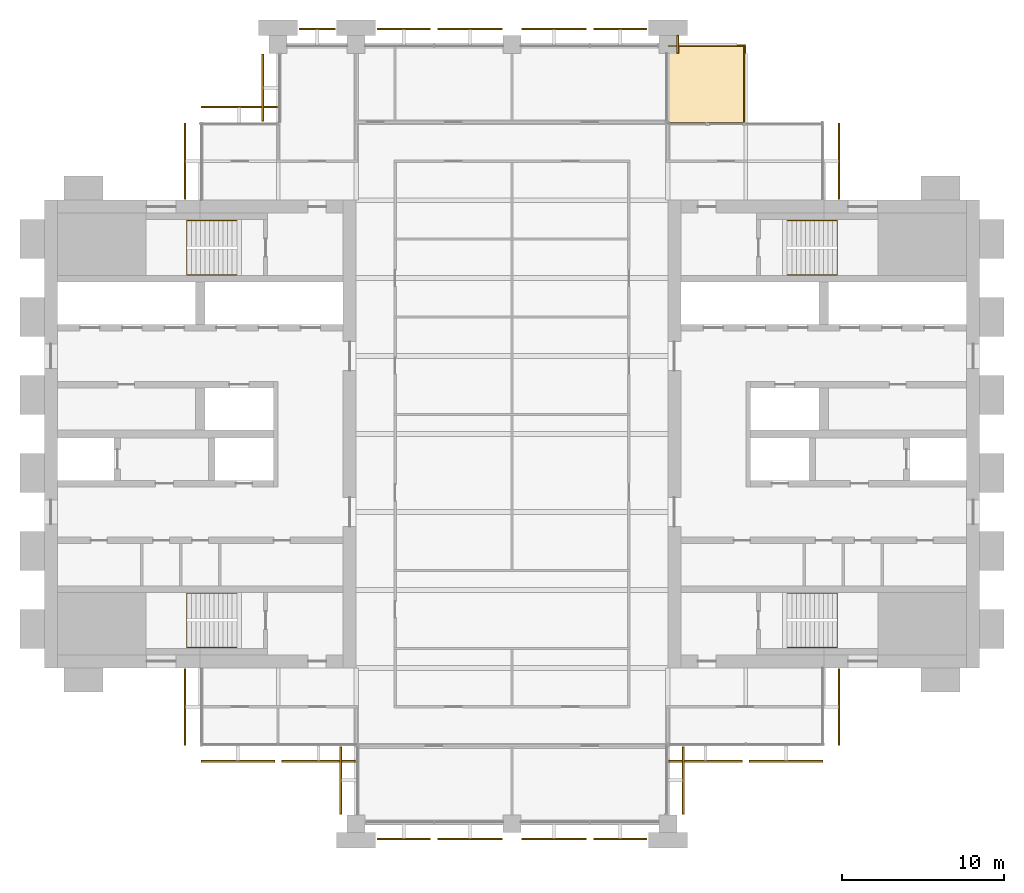
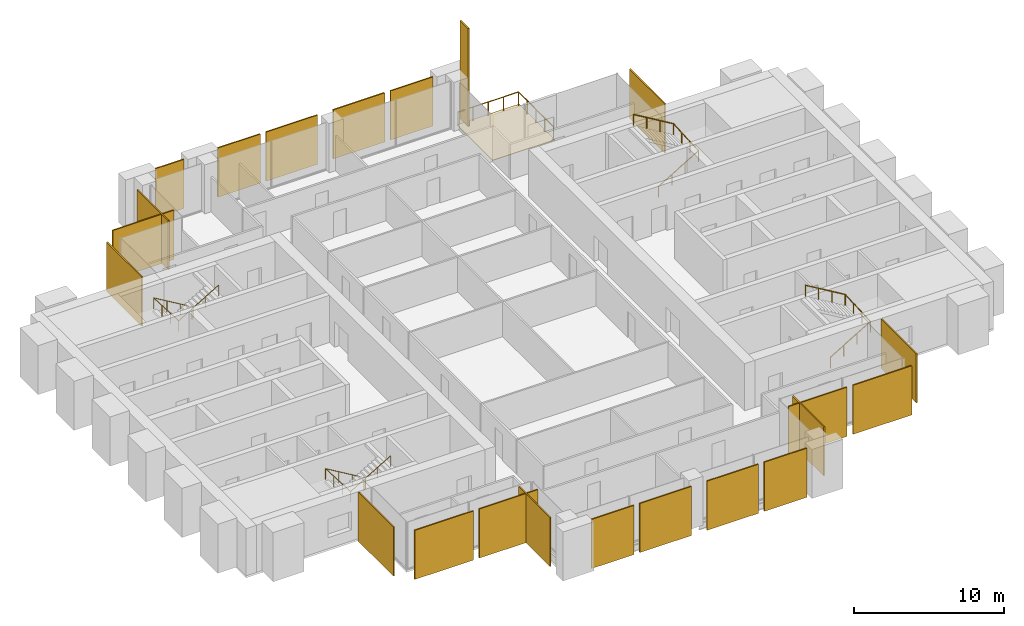
# One storey, part 13 of 13: 23 coverings, 5 railings.
"""IFC4 building model written with IfcOpenShell, lengths in metres."""

from ifc_helpers import new_model, si_unit, direction, frame, origin, origin_2d, place, context, subcontext, project, spatial, polyline, rectangle, circle, outline, extrude, material, layer, layer_set, type_object, element, save


model = new_model("IFC4")

# Units and contexts
model_context = context("Model", 3, precision=1e-05, world=origin(), true_north=direction((0.0, 1.0)))
body_context = subcontext(model_context, "Body", "Model", "MODEL_VIEW")
ifc_project = project(units=[si_unit("LENGTHUNIT", "METRE"), si_unit("AREAUNIT", "SQUARE_METRE"), si_unit("VOLUMEUNIT", "CUBIC_METRE"), si_unit("PLANEANGLEUNIT", "RADIAN"), si_unit("MASSUNIT", "GRAM", prefix="KILO")], contexts=[model_context])

# Site, building, storey
site_placement = place(None, origin())
site = spatial("IfcSite", under=ifc_project, at=site_placement, CompositionType="ELEMENT")
building_placement = place(site_placement, origin())
building = spatial("IfcBuilding", under=site, at=building_placement, Name="Baori Bourse Tower", CompositionType="ELEMENT")
storey_placement = place(building_placement, frame((0.0, 0.0, 205.199951171875)))
storey = spatial("IfcBuildingStorey", under=building, at=storey_placement, Name="L44", CompositionType="ELEMENT", Elevation=205.199951171875)

# Railings
ifc_material_1 = material(Name="Powder-coated steel balustrade", Category="steel")
railing_type_1 = type_object("IfcRailingType", Name="Core stair handrail", PredefinedType="HANDRAIL", material=ifc_material_1)
railing_1_placement = place(storey_placement, frame((11.85009765625, 14.199951171875, 0.166748046875)))
element("IfcRailing", 1, at=railing_1_placement, inside=storey, type_object=railing_type_1, Name="L44 ST1 stair handrail 1", PredefinedType="HANDRAIL", context=body_context, shape_type="SweptSolid", body=[
    extrude(circle(Radius=0.02392578125, at=origin_2d()), frame((0.0, 0.0, 0.8759765625), z_axis=(-0.859308565015, 0.0, 0.511457515432), x_axis=(0.0, -1.0, 0.0)), (0.0, 0.0, 1.0), 3.58447265625),
    extrude(circle(Radius=0.02392578125, at=origin_2d()), frame((-3.080078125, 0.0, 2.708984375), z_axis=(0.0, -0.998763387249, 0.04971615724), x_axis=(1.0, 0.0, 0.0)), (0.0, 0.0, 1.0), 3.35400390625),
    extrude(circle(Radius=0.02392578125, at=origin_2d()), frame((-3.080078125, -3.349853515625, 2.8759765625), z_axis=(0.859308565015, 0.0, 0.511457515432), x_axis=(0.0, 1.0, 0.0)), (0.0, 0.0, 1.0), 3.58447265625),
    extrude(circle(Radius=0.02099609375, at=origin_2d()), origin(), (0.0, 0.0, 1.0), 0.851806640625),
    extrude(circle(Radius=0.02099609375, at=origin_2d()), frame((-1.026611328125, 0.0, 0.611083984375)), (0.0, 0.0, 1.0), 0.851806640625),
    extrude(circle(Radius=0.02099609375, at=origin_2d()), frame((-2.053466796875, 0.0, 1.22216796875)), (0.0, 0.0, 1.0), 0.851806640625),
    extrude(circle(Radius=0.02099609375, at=origin_2d()), frame((-3.080078125, 0.0, 1.833251953125)), (0.0, 0.0, 1.0), 0.851806640625),
    extrude(circle(Radius=0.02099609375, at=origin_2d()), frame((-3.080078125, -1.11669921875, 1.888916015625)), (0.0, 0.0, 1.0), 0.851806640625),
    extrude(circle(Radius=0.02099609375, at=origin_2d()), frame((-3.080078125, -2.233154296875, 1.9443359375)), (0.0, 0.0, 1.0), 0.851806640625),
    extrude(circle(Radius=0.02099609375, at=origin_2d()), frame((-3.080078125, -3.349853515625, 2.0)), (0.0, 0.0, 1.0), 0.851806640625),
    extrude(circle(Radius=0.02099609375, at=origin_2d()), frame((-2.053466796875, -3.349853515625, 2.611083984375)), (0.0, 0.0, 1.0), 0.851806640625),
    extrude(circle(Radius=0.02099609375, at=origin_2d()), frame((-1.026611328125, -3.349853515625, 3.22216796875)), (0.0, 0.0, 1.0), 0.851806640625),
    extrude(circle(Radius=0.02099609375, at=origin_2d()), frame((0.0, -3.349853515625, 3.833251953125)), (0.0, 0.0, 1.0), 0.851806640625),
])
railing_2_placement = place(storey_placement, frame((11.85009765625, 37.14990234375, 0.166748046875)))
element("IfcRailing", 2, at=railing_2_placement, inside=storey, type_object=railing_type_1, Name="L44 ST2 stair handrail 1", PredefinedType="HANDRAIL", context=body_context, shape_type="SweptSolid", body=[
    extrude(circle(Radius=0.02392578125, at=origin_2d()), frame((0.0, 0.0, 0.8759765625), z_axis=(-0.859308565015, 0.0, 0.511457515432), x_axis=(0.0, -1.0, 0.0)), (0.0, 0.0, 1.0), 3.58447265625),
    extrude(circle(Radius=0.02392578125, at=origin_2d()), frame((-3.080078125, 0.0, 2.708984375), z_axis=(0.0, -0.998763387249, 0.04971615724), x_axis=(1.0, 0.0, 0.0)), (0.0, 0.0, 1.0), 3.35400390625),
    extrude(circle(Radius=0.02392578125, at=origin_2d()), frame((-3.080078125, -3.349853515625, 2.8759765625), z_axis=(0.859308565015, 0.0, 0.511457515432), x_axis=(0.0, 1.0, 0.0)), (0.0, 0.0, 1.0), 3.58447265625),
    extrude(circle(Radius=0.02099609375, at=origin_2d()), origin(), (0.0, 0.0, 1.0), 0.851806640625),
    extrude(circle(Radius=0.02099609375, at=origin_2d()), frame((-1.026611328125, 0.0, 0.611083984375)), (0.0, 0.0, 1.0), 0.851806640625),
    extrude(circle(Radius=0.02099609375, at=origin_2d()), frame((-2.053466796875, 0.0, 1.22216796875)), (0.0, 0.0, 1.0), 0.851806640625),
    extrude(circle(Radius=0.02099609375, at=origin_2d()), frame((-3.080078125, 0.0, 1.833251953125)), (0.0, 0.0, 1.0), 0.851806640625),
    extrude(circle(Radius=0.02099609375, at=origin_2d()), frame((-3.080078125, -1.11669921875, 1.888916015625)), (0.0, 0.0, 1.0), 0.851806640625),
    extrude(circle(Radius=0.02099609375, at=origin_2d()), frame((-3.080078125, -2.233154296875, 1.9443359375)), (0.0, 0.0, 1.0), 0.851806640625),
    extrude(circle(Radius=0.02099609375, at=origin_2d()), frame((-3.080078125, -3.349853515625, 2.0)), (0.0, 0.0, 1.0), 0.851806640625),
    extrude(circle(Radius=0.02099609375, at=origin_2d()), frame((-2.053466796875, -3.349853515625, 2.611083984375)), (0.0, 0.0, 1.0), 0.851806640625),
    extrude(circle(Radius=0.02099609375, at=origin_2d()), frame((-1.026611328125, -3.349853515625, 3.22216796875)), (0.0, 0.0, 1.0), 0.851806640625),
    extrude(circle(Radius=0.02099609375, at=origin_2d()), frame((0.0, -3.349853515625, 3.833251953125)), (0.0, 0.0, 1.0), 0.851806640625),
])
railing_3_placement = place(storey_placement, frame((45.75, 10.85009765625, 0.166748046875)))
element("IfcRailing", 3, at=railing_3_placement, inside=storey, type_object=railing_type_1, Name="L44 ST3 stair handrail 1", PredefinedType="HANDRAIL", context=body_context, shape_type="SweptSolid", body=[
    extrude(circle(Radius=0.02392578125, at=origin_2d()), frame((0.0, 0.0, 0.8759765625), z_axis=(0.859308565015, 0.0, 0.511457515432), x_axis=(0.0, 1.0, 0.0)), (0.0, 0.0, 1.0), 3.58447265625),
    extrude(circle(Radius=0.02392578125, at=origin_2d()), frame((3.080078125, 0.0, 2.708984375), z_axis=(0.0, 0.998763387249, 0.04971615724), x_axis=(-1.0, 0.0, 0.0)), (0.0, 0.0, 1.0), 3.35400390625),
    extrude(circle(Radius=0.02392578125, at=origin_2d()), frame((3.080078125, 3.349853515625, 2.8759765625), z_axis=(-0.859308565015, 0.0, 0.511457515432), x_axis=(0.0, -1.0, 0.0)), (0.0, 0.0, 1.0), 3.58447265625),
    extrude(circle(Radius=0.02099609375, at=origin_2d()), origin(), (0.0, 0.0, 1.0), 0.851806640625),
    extrude(circle(Radius=0.02099609375, at=origin_2d()), frame((1.026611328125, 0.0, 0.611083984375)), (0.0, 0.0, 1.0), 0.851806640625),
    extrude(circle(Radius=0.02099609375, at=origin_2d()), frame((2.053466796875, 0.0, 1.22216796875)), (0.0, 0.0, 1.0), 0.851806640625),
    extrude(circle(Radius=0.02099609375, at=origin_2d()), frame((3.080078125, 0.0, 1.833251953125)), (0.0, 0.0, 1.0), 0.851806640625),
    extrude(circle(Radius=0.02099609375, at=origin_2d()), frame((3.080078125, 1.11669921875, 1.888916015625)), (0.0, 0.0, 1.0), 0.851806640625),
    extrude(circle(Radius=0.02099609375, at=origin_2d()), frame((3.080078125, 2.233154296875, 1.9443359375)), (0.0, 0.0, 1.0), 0.851806640625),
    extrude(circle(Radius=0.02099609375, at=origin_2d()), frame((3.080078125, 3.349853515625, 2.0)), (0.0, 0.0, 1.0), 0.851806640625),
    extrude(circle(Radius=0.02099609375, at=origin_2d()), frame((2.053466796875, 3.349853515625, 2.611083984375)), (0.0, 0.0, 1.0), 0.851806640625),
    extrude(circle(Radius=0.02099609375, at=origin_2d()), frame((1.026611328125, 3.349853515625, 3.22216796875)), (0.0, 0.0, 1.0), 0.851806640625),
    extrude(circle(Radius=0.02099609375, at=origin_2d()), frame((0.0, 3.349853515625, 3.833251953125)), (0.0, 0.0, 1.0), 0.851806640625),
])
railing_4_placement = place(storey_placement, frame((45.75, 33.800048828125, 0.166748046875)))
element("IfcRailing", 4, at=railing_4_placement, inside=storey, type_object=railing_type_1, Name="L44 ST4 stair handrail 1", PredefinedType="HANDRAIL", context=body_context, shape_type="SweptSolid", body=[
    extrude(circle(Radius=0.02392578125, at=origin_2d()), frame((0.0, 0.0, 0.8759765625), z_axis=(0.859308565015, 0.0, 0.511457515432), x_axis=(0.0, 1.0, 0.0)), (0.0, 0.0, 1.0), 3.58447265625),
    extrude(circle(Radius=0.02392578125, at=origin_2d()), frame((3.080078125, 0.0, 2.708984375), z_axis=(0.0, 0.998763387249, 0.04971615724), x_axis=(-1.0, 0.0, 0.0)), (0.0, 0.0, 1.0), 3.35400390625),
    extrude(circle(Radius=0.02392578125, at=origin_2d()), frame((3.080078125, 3.349853515625, 2.8759765625), z_axis=(-0.859308565015, 0.0, 0.511457515432), x_axis=(0.0, -1.0, 0.0)), (0.0, 0.0, 1.0), 3.58447265625),
    extrude(circle(Radius=0.02099609375, at=origin_2d()), origin(), (0.0, 0.0, 1.0), 0.851806640625),
    extrude(circle(Radius=0.02099609375, at=origin_2d()), frame((1.026611328125, 0.0, 0.611083984375)), (0.0, 0.0, 1.0), 0.851806640625),
    extrude(circle(Radius=0.02099609375, at=origin_2d()), frame((2.053466796875, 0.0, 1.22216796875)), (0.0, 0.0, 1.0), 0.851806640625),
    extrude(circle(Radius=0.02099609375, at=origin_2d()), frame((3.080078125, 0.0, 1.833251953125)), (0.0, 0.0, 1.0), 0.851806640625),
    extrude(circle(Radius=0.02099609375, at=origin_2d()), frame((3.080078125, 1.11669921875, 1.888916015625)), (0.0, 0.0, 1.0), 0.851806640625),
    extrude(circle(Radius=0.02099609375, at=origin_2d()), frame((3.080078125, 2.233154296875, 1.9443359375)), (0.0, 0.0, 1.0), 0.851806640625),
    extrude(circle(Radius=0.02099609375, at=origin_2d()), frame((3.080078125, 3.349853515625, 2.0)), (0.0, 0.0, 1.0), 0.851806640625),
    extrude(circle(Radius=0.02099609375, at=origin_2d()), frame((2.053466796875, 3.349853515625, 2.611083984375)), (0.0, 0.0, 1.0), 0.851806640625),
    extrude(circle(Radius=0.02099609375, at=origin_2d()), frame((1.026611328125, 3.349853515625, 3.22216796875)), (0.0, 0.0, 1.0), 0.851806640625),
    extrude(circle(Radius=0.02099609375, at=origin_2d()), frame((0.0, 3.349853515625, 3.833251953125)), (0.0, 0.0, 1.0), 0.851806640625),
])
ifc_material_2 = material(Name="Stainless steel", Category="steel")
railing_type_2 = type_object("IfcRailingType", Name="GD1 Guard", PredefinedType="GUARDRAIL", material=ifc_material_2)
railing_5_placement = place(storey_placement, frame((38.429931640625, 47.89990234375, 0.0400390625)))
element("IfcRailing", 5, at=railing_5_placement, inside=storey, type_object=railing_type_2, Name="Guard terrace NE L44 1", PredefinedType="GUARDRAIL", context=body_context, shape_type="SweptSolid", body=[
    extrude(circle(Radius=0.02392578125, at=origin_2d()), frame((0.0, 0.0, 1.076171875), z_axis=(1.0, 0.0, 0.0), x_axis=(0.0, 1.0, 0.0)), (0.0, 0.0, 1.0), 4.670166015625),
    extrude(circle(Radius=0.02392578125, at=origin_2d()), frame((4.670166015625, 0.0, 1.076171875), z_axis=(0.0, -1.0, 0.0), x_axis=(1.0, 0.0, 0.0)), (0.0, 0.0, 1.0), 4.669921875),
    extrude(circle(Radius=0.02099609375, at=origin_2d()), origin(), (0.0, 0.0, 1.0), 1.052001953125),
    extrude(circle(Radius=0.02099609375, at=origin_2d()), frame((1.16748046875, 0.0, 0.0)), (0.0, 0.0, 1.0), 1.052001953125),
    extrude(circle(Radius=0.02099609375, at=origin_2d()), frame((2.3349609375, 0.0, 0.0)), (0.0, 0.0, 1.0), 1.052001953125),
    extrude(circle(Radius=0.02099609375, at=origin_2d()), frame((3.502685546875, 0.0, 0.0)), (0.0, 0.0, 1.0), 1.052001953125),
    extrude(circle(Radius=0.02099609375, at=origin_2d()), frame((4.670166015625, 0.0, 0.0)), (0.0, 0.0, 1.0), 1.052001953125),
    extrude(circle(Radius=0.02099609375, at=origin_2d()), frame((4.670166015625, -1.16748046875, 0.0)), (0.0, 0.0, 1.0), 1.052001953125),
    extrude(circle(Radius=0.02099609375, at=origin_2d()), frame((4.670166015625, -2.3349609375, 0.0)), (0.0, 0.0, 1.0), 1.052001953125),
    extrude(circle(Radius=0.02099609375, at=origin_2d()), frame((4.670166015625, -3.50244140625, 0.0)), (0.0, 0.0, 1.0), 1.052001953125),
    extrude(circle(Radius=0.02099609375, at=origin_2d()), frame((4.670166015625, -4.669921875, 0.0)), (0.0, 0.0, 1.0), 1.052001953125),
])

# Coverings
ifc_material_3 = material(Name="Pale anodised aluminium", Category="aluminium")
ifc_layer_1 = layer(ifc_material_3, 0.10009765625)
ifc_layer_set_1 = layer_set([ifc_layer_1], Name="OS3 Outer skin screen panel")
covering_type_1 = type_object("IfcCoveringType", Name="OS3 Outer skin screen panel", PredefinedType="CLADDING", material=ifc_layer_set_1)
covering_1_placement = place(storey_placement, frame((0.0, 0.0, -0.159912109375)))
element("IfcCovering", 6, at=covering_1_placement, inside=storey, type_object=covering_type_1, Name="Outer skin screen L44 1", PredefinedType="CLADDING", context=body_context, shape_type="SweptSolid", body=[
    extrude(outline(polyline([(48.89990234375, 43.14990234375), (48.89990234375, 38.449951171875), (49.0, 38.449951171875), (49.0, 43.14990234375), (48.89990234375, 43.14990234375)])), origin(), (0.0, 0.0, 1.0), 4.0),
])
covering_2_placement = place(storey_placement, frame((0.0, 0.0, -0.159912109375)))
element("IfcCovering", 7, at=covering_2_placement, inside=storey, type_object=covering_type_1, Name="Outer skin screen L44 2", PredefinedType="CLADDING", context=body_context, shape_type="SweptSolid", body=[
    extrude(outline(polyline([(33.824951171875, 48.89990234375), (37.10009765625, 48.89990234375), (37.10009765625, 49.0), (33.824951171875, 49.0), (33.824951171875, 48.89990234375)])), origin(), (0.0, 0.0, 1.0), 4.0),
])
covering_3_placement = place(storey_placement, frame((0.0, 0.0, -0.159912109375)))
element("IfcCovering", 8, at=covering_3_placement, inside=storey, type_object=covering_type_1, Name="Outer skin screen L44 3", PredefinedType="CLADDING", context=body_context, shape_type="SweptSolid", body=[
    extrude(outline(polyline([(29.39990234375, 48.89990234375), (33.375, 48.89990234375), (33.375, 49.0), (29.39990234375, 49.0), (29.39990234375, 48.89990234375)])), origin(), (0.0, 0.0, 1.0), 4.0),
])
covering_4_placement = place(storey_placement, frame((0.0, 0.0, -0.159912109375)))
element("IfcCovering", 9, at=covering_4_placement, inside=storey, type_object=covering_type_1, Name="Outer skin screen L44 4", PredefinedType="CLADDING", context=body_context, shape_type="SweptSolid", body=[
    extrude(outline(polyline([(24.22509765625, 48.89990234375), (28.199951171875, 48.89990234375), (28.199951171875, 49.0), (24.22509765625, 49.0), (24.22509765625, 48.89990234375)])), origin(), (0.0, 0.0, 1.0), 4.0),
])
covering_5_placement = place(storey_placement, frame((0.0, 0.0, -0.159912109375)))
element("IfcCovering", 10, at=covering_5_placement, inside=storey, type_object=covering_type_1, Name="Outer skin screen L44 5", PredefinedType="CLADDING", context=body_context, shape_type="SweptSolid", body=[
    extrude(outline(polyline([(20.5, 48.89990234375), (23.77490234375, 48.89990234375), (23.77490234375, 49.0), (20.5, 49.0), (20.5, 48.89990234375)])), origin(), (0.0, 0.0, 1.0), 4.0),
])
covering_6_placement = place(storey_placement, frame((0.0, 0.0, -0.159912109375)))
element("IfcCovering", 11, at=covering_6_placement, inside=storey, type_object=covering_type_1, Name="Outer skin screen L44 6", PredefinedType="CLADDING", context=body_context, shape_type="SweptSolid", body=[
    extrude(outline(polyline([(15.699951171875, 48.89990234375), (17.89990234375, 48.89990234375), (17.89990234375, 49.0), (15.699951171875, 49.0), (15.699951171875, 48.89990234375)])), origin(), (0.0, 0.0, 1.0), 4.0),
])
covering_7_placement = place(storey_placement, frame((0.0, 0.0, -0.159912109375)))
element("IfcCovering", 12, at=covering_7_placement, inside=storey, type_object=covering_type_1, Name="Outer skin screen L44 7", PredefinedType="CLADDING", context=body_context, shape_type="SweptSolid", body=[
    extrude(outline(polyline([(13.5, 43.25), (13.5, 47.39990234375), (13.39990234375, 47.39990234375), (13.39990234375, 43.25), (13.5, 43.25)])), origin(), (0.0, 0.0, 1.0), 4.0),
])
covering_8_placement = place(storey_placement, frame((0.0, 0.0, -0.159912109375)))
element("IfcCovering", 13, at=covering_8_placement, inside=storey, type_object=covering_type_1, Name="Outer skin screen L44 8", PredefinedType="CLADDING", context=body_context, shape_type="SweptSolid", body=[
    extrude(outline(polyline([(9.64990234375, 44.10009765625), (14.35009765625, 44.10009765625), (14.35009765625, 44.199951171875), (9.64990234375, 44.199951171875), (9.64990234375, 44.10009765625)])), origin(), (0.0, 0.0, 1.0), 4.0),
])
covering_9_placement = place(storey_placement, frame((0.0, 0.0, -0.159912109375)))
element("IfcCovering", 14, at=covering_9_placement, inside=storey, type_object=covering_type_1, Name="Outer skin screen L44 9", PredefinedType="CLADDING", context=body_context, shape_type="SweptSolid", body=[
    extrude(outline(polyline([(8.699951171875, 38.449951171875), (8.699951171875, 43.14990234375), (8.60009765625, 43.14990234375), (8.60009765625, 38.449951171875), (8.699951171875, 38.449951171875)])), origin(), (0.0, 0.0, 1.0), 4.0),
])
covering_10_placement = place(storey_placement, frame((0.0, 0.0, -0.159912109375)))
element("IfcCovering", 15, at=covering_10_placement, inside=storey, type_object=covering_type_1, Name="Outer skin screen L44 10", PredefinedType="CLADDING", context=body_context, shape_type="SweptSolid", body=[
    extrude(outline(polyline([(8.699951171875, 4.85009765625), (8.699951171875, 9.550048828125), (8.60009765625, 9.550048828125), (8.60009765625, 4.85009765625), (8.699951171875, 4.85009765625)])), origin(), (0.0, 0.0, 1.0), 4.0),
])
covering_11_placement = place(storey_placement, frame((0.0, 0.0, -0.159912109375)))
element("IfcCovering", 16, at=covering_11_placement, inside=storey, type_object=covering_type_1, Name="Outer skin screen L44 11", PredefinedType="CLADDING", context=body_context, shape_type="SweptSolid", body=[
    extrude(outline(polyline([(14.175048828125, 3.89990234375), (9.64990234375, 3.89990234375), (9.64990234375, 3.800048828125), (14.175048828125, 3.800048828125), (14.175048828125, 3.89990234375)])), origin(), (0.0, 0.0, 1.0), 4.0),
])
covering_12_placement = place(storey_placement, frame((0.0, 0.0, -0.159912109375)))
element("IfcCovering", 17, at=covering_12_placement, inside=storey, type_object=covering_type_1, Name="Outer skin screen L44 12", PredefinedType="CLADDING", context=body_context, shape_type="SweptSolid", body=[
    extrude(outline(polyline([(19.14990234375, 3.89990234375), (14.625, 3.89990234375), (14.625, 3.800048828125), (19.14990234375, 3.800048828125), (19.14990234375, 3.89990234375)])), origin(), (0.0, 0.0, 1.0), 4.0),
])
covering_13_placement = place(storey_placement, frame((0.0, 0.0, -0.159912109375)))
element("IfcCovering", 18, at=covering_13_placement, inside=storey, type_object=covering_type_1, Name="Outer skin screen L44 13", PredefinedType="CLADDING", context=body_context, shape_type="SweptSolid", body=[
    extrude(outline(polyline([(18.300048828125, 0.60009765625), (18.300048828125, 4.75), (18.199951171875, 4.75), (18.199951171875, 0.60009765625), (18.300048828125, 0.60009765625)])), origin(), (0.0, 0.0, 1.0), 4.0),
])
covering_14_placement = place(storey_placement, frame((0.0, 0.0, -0.159912109375)))
element("IfcCovering", 19, at=covering_14_placement, inside=storey, type_object=covering_type_1, Name="Outer skin screen L44 14", PredefinedType="CLADDING", context=body_context, shape_type="SweptSolid", body=[
    extrude(outline(polyline([(23.77490234375, -0.89990234375), (20.5, -0.89990234375), (20.5, -1.0), (23.77490234375, -1.0), (23.77490234375, -0.89990234375)])), origin(), (0.0, 0.0, 1.0), 4.0),
])
covering_15_placement = place(storey_placement, frame((0.0, 0.0, -0.159912109375)))
element("IfcCovering", 20, at=covering_15_placement, inside=storey, type_object=covering_type_1, Name="Outer skin screen L44 15", PredefinedType="CLADDING", context=body_context, shape_type="SweptSolid", body=[
    extrude(outline(polyline([(28.199951171875, -0.89990234375), (24.22509765625, -0.89990234375), (24.22509765625, -1.0), (28.199951171875, -1.0), (28.199951171875, -0.89990234375)])), origin(), (0.0, 0.0, 1.0), 4.0),
])
covering_16_placement = place(storey_placement, frame((0.0, 0.0, -0.159912109375)))
element("IfcCovering", 21, at=covering_16_placement, inside=storey, type_object=covering_type_1, Name="Outer skin screen L44 16", PredefinedType="CLADDING", context=body_context, shape_type="SweptSolid", body=[
    extrude(outline(polyline([(33.375, -0.89990234375), (29.39990234375, -0.89990234375), (29.39990234375, -1.0), (33.375, -1.0), (33.375, -0.89990234375)])), origin(), (0.0, 0.0, 1.0), 4.0),
])
covering_17_placement = place(storey_placement, frame((0.0, 0.0, -0.159912109375)))
element("IfcCovering", 22, at=covering_17_placement, inside=storey, type_object=covering_type_1, Name="Outer skin screen L44 17", PredefinedType="CLADDING", context=body_context, shape_type="SweptSolid", body=[
    extrude(outline(polyline([(37.10009765625, -0.89990234375), (33.824951171875, -0.89990234375), (33.824951171875, -1.0), (37.10009765625, -1.0), (37.10009765625, -0.89990234375)])), origin(), (0.0, 0.0, 1.0), 4.0),
])
covering_18_placement = place(storey_placement, frame((0.0, 0.0, -0.159912109375)))
element("IfcCovering", 23, at=covering_18_placement, inside=storey, type_object=covering_type_1, Name="Outer skin screen L44 18", PredefinedType="CLADDING", context=body_context, shape_type="SweptSolid", body=[
    extrude(outline(polyline([(39.300048828125, 4.75), (39.300048828125, 0.60009765625), (39.39990234375, 0.60009765625), (39.39990234375, 4.75), (39.300048828125, 4.75)])), origin(), (0.0, 0.0, 1.0), 4.0),
])
covering_19_placement = place(storey_placement, frame((0.0, 0.0, -0.159912109375)))
element("IfcCovering", 24, at=covering_19_placement, inside=storey, type_object=covering_type_1, Name="Outer skin screen L44 19", PredefinedType="CLADDING", context=body_context, shape_type="SweptSolid", body=[
    extrude(outline(polyline([(42.97509765625, 3.89990234375), (38.449951171875, 3.89990234375), (38.449951171875, 3.800048828125), (42.97509765625, 3.800048828125), (42.97509765625, 3.89990234375)])), origin(), (0.0, 0.0, 1.0), 4.0),
])
covering_20_placement = place(storey_placement, frame((0.0, 0.0, -0.159912109375)))
element("IfcCovering", 25, at=covering_20_placement, inside=storey, type_object=covering_type_1, Name="Outer skin screen L44 20", PredefinedType="CLADDING", context=body_context, shape_type="SweptSolid", body=[
    extrude(outline(polyline([(47.949951171875, 3.89990234375), (43.425048828125, 3.89990234375), (43.425048828125, 3.800048828125), (47.949951171875, 3.800048828125), (47.949951171875, 3.89990234375)])), origin(), (0.0, 0.0, 1.0), 4.0),
])
covering_21_placement = place(storey_placement, frame((0.0, 0.0, -0.159912109375)))
element("IfcCovering", 26, at=covering_21_placement, inside=storey, type_object=covering_type_1, Name="Outer skin screen L44 21", PredefinedType="CLADDING", context=body_context, shape_type="SweptSolid", body=[
    extrude(outline(polyline([(48.89990234375, 9.550048828125), (48.89990234375, 4.85009765625), (49.0, 4.85009765625), (49.0, 9.550048828125), (48.89990234375, 9.550048828125)])), origin(), (0.0, 0.0, 1.0), 4.0),
])
ifc_material_4 = material(Name="Face brick", Category="masonry")
ifc_layer_2 = layer(ifc_material_4, 0.110107421875)
ifc_layer_set_2 = layer_set([ifc_layer_2], Name="PC1 Brick pier facing")
covering_type_2 = type_object("IfcCoveringType", Name="PC1 Brick pier facing", PredefinedType="CLADDING", material=ifc_layer_set_2)
covering_22_placement = place(storey_placement, frame((39.0048828125, 48.0, 0.0), z_axis=(0.0, 0.0, 1.0), x_axis=(1.0, 0.0, 0.0)))
element("IfcCovering", 27, at=covering_22_placement, inside=storey, type_object=covering_type_2, Name="Brick pier facing L44 1", PredefinedType="CLADDING", context=body_context, shape_type="SweptSolid", body=[
    extrude(rectangle(XDim=0.110107421875, YDim=1.10009765625, at=origin_2d()), origin(), (0.0, 0.0, 1.0), 8.0),
])
ifc_material_5 = material(Name="Granite paving", Category="masonry")
ifc_layer_3 = layer(ifc_material_5, 0.0400390625)
ifc_layer_set_3 = layer_set([ifc_layer_3], Name="PV1 Deck paving")
covering_type_3 = type_object("IfcCoveringType", Name="PV1 Deck paving", PredefinedType="FLOORING", material=ifc_layer_set_3)
covering_23_placement = place(storey_placement, origin())
element("IfcCovering", 28, at=covering_23_placement, inside=storey, type_object=covering_type_3, Name="Terrace paving L44 1", PredefinedType="FLOORING", context=body_context, shape_type="SweptSolid", body=[
    extrude(outline(polyline([(38.39990234375, 43.199951171875), (43.199951171875, 43.199951171875), (43.199951171875, 48.0), (38.39990234375, 48.0), (38.39990234375, 43.199951171875)])), origin(), (0.0, 0.0, 1.0), 0.0400390625),
])

save(model, "model.ifc")
